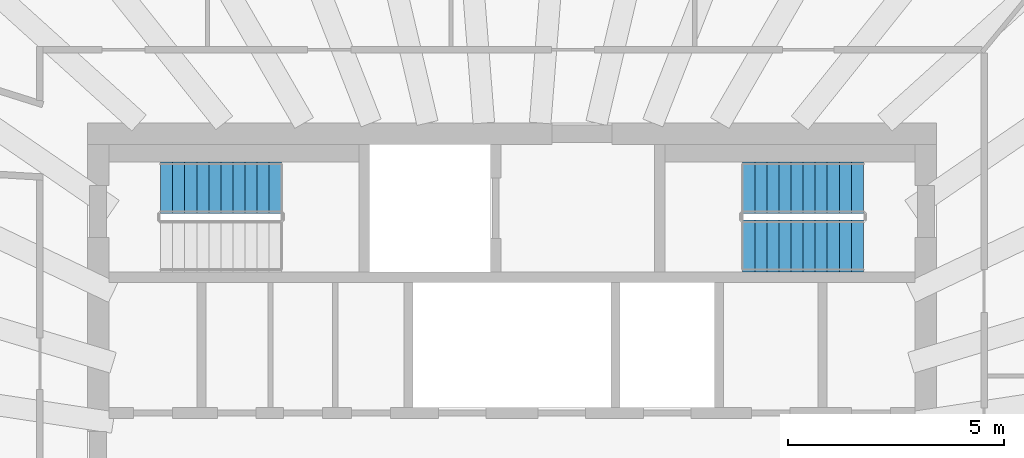
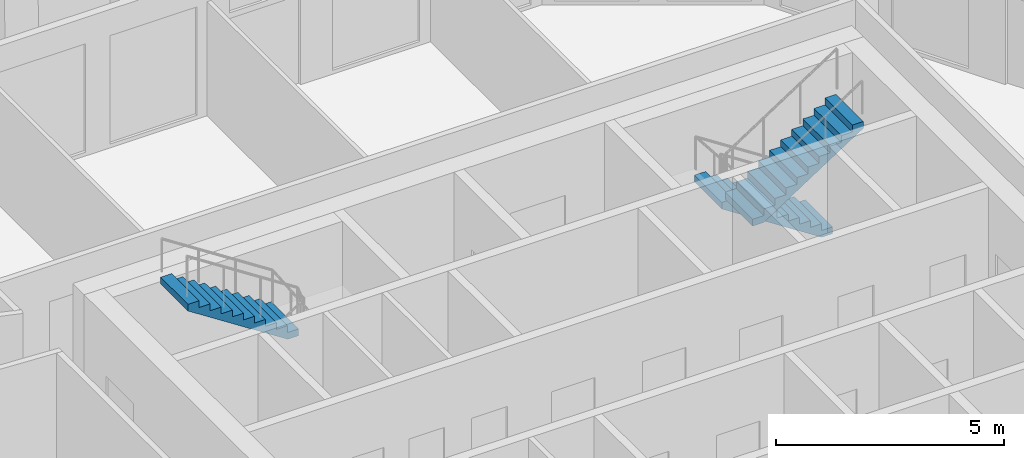
# One storey, part 8 of 13: 3 stair flights, 2 elements without a shape of their own.
"""IFC4 building model written with IfcOpenShell, lengths in metres."""

from ifc_helpers import new_model, si_unit, direction, frame, origin, place, context, subcontext, project, spatial, polyline, outline, extrude, material, layer, layer_set, type_object, element, aggregate, save


model = new_model("IFC4")

# Units and contexts
model_context = context("Model", 3, precision=1e-05, world=origin(), true_north=direction((0.0, 1.0)))
body_context = subcontext(model_context, "Body", "Model", "MODEL_VIEW")
ifc_project = project(units=[si_unit("LENGTHUNIT", "METRE"), si_unit("AREAUNIT", "SQUARE_METRE"), si_unit("VOLUMEUNIT", "CUBIC_METRE"), si_unit("PLANEANGLEUNIT", "RADIAN"), si_unit("MASSUNIT", "GRAM", prefix="KILO")], contexts=[model_context])

# Site, building, storey
site_placement = place(None, origin())
site = spatial("IfcSite", under=ifc_project, at=site_placement, CompositionType="ELEMENT")
building_placement = place(site_placement, origin())
building = spatial("IfcBuilding", under=site, at=building_placement, Name="Frailejon Research Tower", CompositionType="ELEMENT")
storey_placement = place(building_placement, frame((0.0, 0.0, 308.60009765625)))
storey = spatial("IfcBuildingStorey", under=building, at=storey_placement, Name="L68", CompositionType="ELEMENT", Elevation=308.60009765625)

# Stair, stair flight
ifc_material_1 = material(Name="Concrete C50/60", Category="concrete")
stair_type = type_object("IfcStairType", Name="Exit stair 22 risers", PredefinedType="HALF_TURN_STAIR", material=ifc_material_1)
stair_1_placement = place(storey_placement, origin())
stair_1 = element("IfcStair", 1, at=stair_1_placement, inside=storey, type_object=stair_type, Name="L68 Exit stair ST1", PredefinedType="HALF_TURN_STAIR")
ifc_material_2 = material(Name="Concrete C50/60", Category="concrete")
ifc_layer = layer(ifc_material_2, 0.14990234375)
ifc_layer_set = layer_set([ifc_layer], Name="Stair flight 11 risers")
stair_flight_type = type_object("IfcStairFlightType", Name="Stair flight 11 risers", PredefinedType="STRAIGHT", material=ifc_layer_set)
stair_flight_1_placement = place(storey_placement, frame((-5.35009765625, 6.85009765625, 2.0), z_axis=(0.0, 0.0, 1.0), x_axis=(-1.0, 0.0, 0.0)))
stair_flight_1 = element("IfcStairFlight", 2, at=stair_flight_1_placement, type_object=stair_flight_type, Name="ST1 flight 2", NumberOfRisers=11, NumberOfTreads=10, PredefinedType="STRAIGHT", RiserHeight=0.181818182, TreadLength=0.28, context=body_context, shape_type="SweptSolid", body=[
    extrude(outline(polyline([(0.0, 0.0), (0.0, 0.181884765625), (0.280029296875, 0.181884765625), (0.280029296875, 0.363525390625), (0.56005859375, 0.363525390625), (0.56005859375, 0.54541015625), (0.840087890625, 0.54541015625), (0.840087890625, 0.727294921875), (1.1201171875, 0.727294921875), (1.1201171875, 0.9091796875), (1.39990234375, 0.9091796875), (1.39990234375, 1.0908203125), (1.679931640625, 1.0908203125), (1.679931640625, 1.272705078125), (1.9599609375, 1.272705078125), (1.9599609375, 1.45458984375), (2.239990234375, 1.45458984375), (2.239990234375, 1.636474609375), (2.52001953125, 1.636474609375), (2.52001953125, 1.818115234375), (2.800048828125, 1.818115234375), (2.800048828125, 2.0), (2.800048828125, 1.639404296875), (0.275146484375, 0.0), (0.0, 0.0)])), frame((0.0, 0.60009765625, 0.0), z_axis=(0.0, -1.0, 0.0), x_axis=(1.0, 0.0, 0.0)), (0.0, 0.0, 1.0), 1.199951171875),
])
aggregate(stair_1, [stair_flight_1])

# Stair, stair flights
stair_2_placement = place(storey_placement, origin())
stair_2 = element("IfcStair", 3, at=stair_2_placement, inside=storey, type_object=stair_type, Name="L68 Exit stair ST3", PredefinedType="HALF_TURN_STAIR")
stair_flight_2_placement = place(storey_placement, frame((8.14990234375, 6.85009765625, 0.0), z_axis=(0.0, 0.0, 1.0), x_axis=(-1.0, 0.0, 0.0)))
stair_flight_2 = element("IfcStairFlight", 4, at=stair_flight_2_placement, type_object=stair_flight_type, Name="ST3 flight 1", NumberOfRisers=11, NumberOfTreads=10, PredefinedType="STRAIGHT", RiserHeight=0.181818182, TreadLength=0.28, context=body_context, shape_type="SweptSolid", body=[
    extrude(outline(polyline([(0.0, 0.0), (0.0, 0.181884765625), (0.280029296875, 0.181884765625), (0.280029296875, 0.363525390625), (0.56005859375, 0.363525390625), (0.56005859375, 0.54541015625), (0.840087890625, 0.54541015625), (0.840087890625, 0.727294921875), (1.1201171875, 0.727294921875), (1.1201171875, 0.9091796875), (1.39990234375, 0.9091796875), (1.39990234375, 1.0908203125), (1.679931640625, 1.0908203125), (1.679931640625, 1.272705078125), (1.9599609375, 1.272705078125), (1.9599609375, 1.45458984375), (2.239990234375, 1.45458984375), (2.239990234375, 1.636474609375), (2.52001953125, 1.636474609375), (2.52001953125, 1.818115234375), (2.800048828125, 1.818115234375), (2.800048828125, 2.0), (2.800048828125, 1.639404296875), (0.275146484375, 0.0), (0.0, 0.0)])), frame((0.0, 0.60009765625, 0.0), z_axis=(0.0, -1.0, 0.0), x_axis=(1.0, 0.0, 0.0)), (0.0, 0.0, 1.0), 1.199951171875),
])
stair_flight_3_placement = place(storey_placement, frame((5.35009765625, 5.5, 2.0), z_axis=(0.0, 0.0, 1.0), x_axis=(1.0, 0.0, 0.0)))
stair_flight_3 = element("IfcStairFlight", 5, at=stair_flight_3_placement, type_object=stair_flight_type, Name="ST3 flight 2", NumberOfRisers=11, NumberOfTreads=10, PredefinedType="STRAIGHT", RiserHeight=0.181818182, TreadLength=0.28, context=body_context, shape_type="SweptSolid", body=[
    extrude(outline(polyline([(0.0, 0.0), (0.0, 0.181884765625), (0.280029296875, 0.181884765625), (0.280029296875, 0.363525390625), (0.56005859375, 0.363525390625), (0.56005859375, 0.54541015625), (0.840087890625, 0.54541015625), (0.840087890625, 0.727294921875), (1.1201171875, 0.727294921875), (1.1201171875, 0.9091796875), (1.39990234375, 0.9091796875), (1.39990234375, 1.0908203125), (1.679931640625, 1.0908203125), (1.679931640625, 1.272705078125), (1.9599609375, 1.272705078125), (1.9599609375, 1.45458984375), (2.239990234375, 1.45458984375), (2.239990234375, 1.636474609375), (2.52001953125, 1.636474609375), (2.52001953125, 1.818115234375), (2.800048828125, 1.818115234375), (2.800048828125, 2.0), (2.800048828125, 1.639404296875), (0.275146484375, 0.0), (0.0, 0.0)])), frame((0.0, 0.60009765625, 0.0), z_axis=(0.0, -1.0, 0.0), x_axis=(1.0, 0.0, 0.0)), (0.0, 0.0, 1.0), 1.199951171875),
])
aggregate(stair_2, [stair_flight_2, stair_flight_3])

save(model, "model.ifc")
